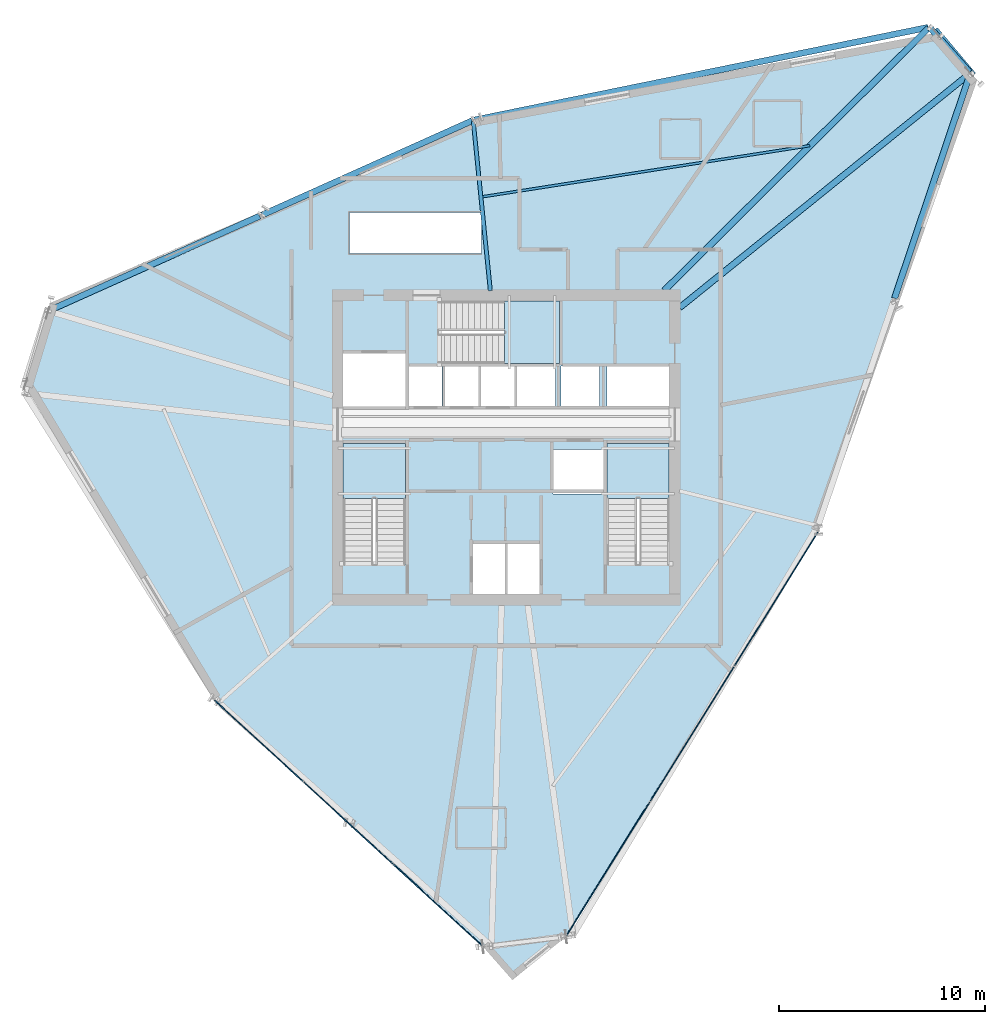
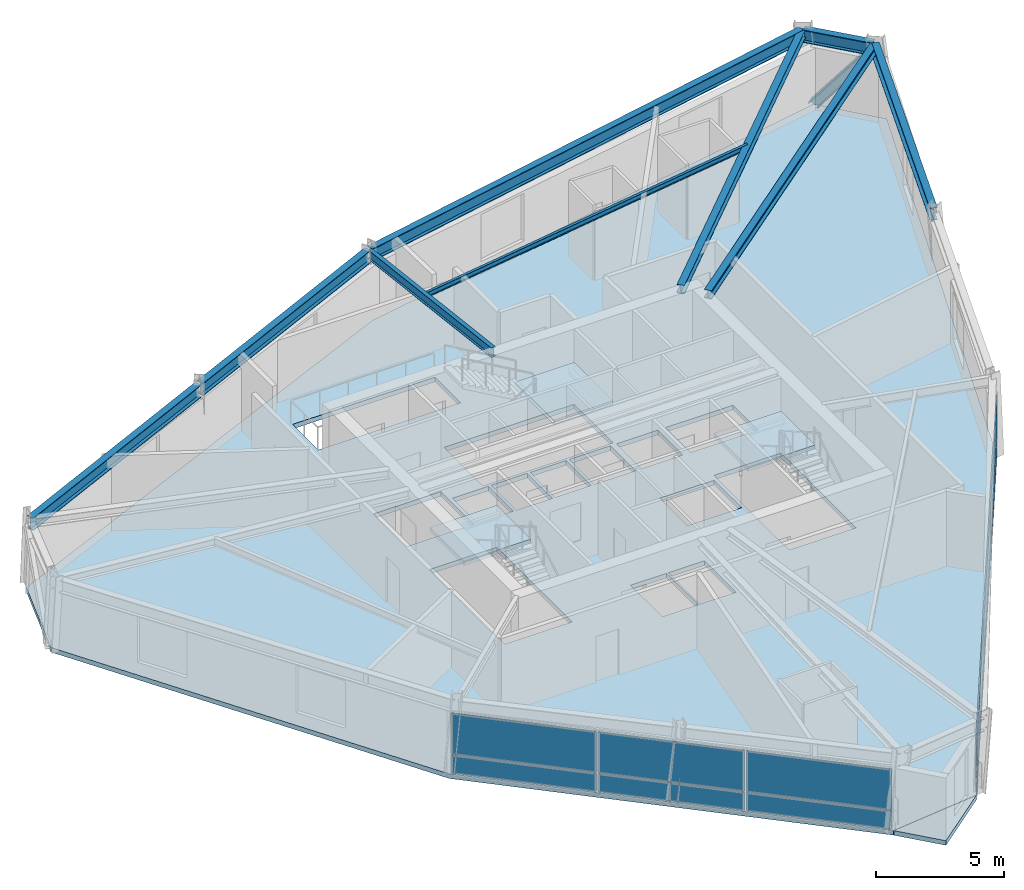
# One storey, part 6 of 13: 12 plates, 9 beams, 5 slabs, 1 member, 5 elements without a shape of their own.
"""IFC4 building model written with IfcOpenShell, lengths in metres."""

from ifc_helpers import new_model, si_unit, direction, frame, origin, origin_2d, place, context, subcontext, project, spatial, polyline, rectangle, i_section, outline, extrude, source, transform, mapped, material, layer, layer_set, material_profile, profile_set, type_object, element, aggregate, save


model = new_model("IFC4")

# Units and contexts
model_context = context("Model", 3, precision=1e-05, world=origin(), true_north=direction((0.0, 1.0)))
body_context = subcontext(model_context, "Body", "Model", "MODEL_VIEW")
ifc_project = project(units=[si_unit("LENGTHUNIT", "METRE"), si_unit("AREAUNIT", "SQUARE_METRE"), si_unit("VOLUMEUNIT", "CUBIC_METRE"), si_unit("PLANEANGLEUNIT", "RADIAN"), si_unit("MASSUNIT", "GRAM", prefix="KILO")], contexts=[model_context])

# Site, building, storey
site_placement = place(None, origin())
site = spatial("IfcSite", under=ifc_project, at=site_placement, CompositionType="ELEMENT")
building_placement = place(site_placement, origin())
building = spatial("IfcBuilding", under=site, at=building_placement, Name="Olszyna Solenne Hotel", CompositionType="ELEMENT")
storey_placement = place(building_placement, frame((0.0, 0.0, 200.300048828125)))
storey = spatial("IfcBuildingStorey", under=building, at=storey_placement, Name="L53", CompositionType="ELEMENT", Elevation=200.300048828125)

# Beams
ifc_material_1 = material(Name="Steel S355J2", Category="steel")
ifc_material_profile_1 = material_profile(ifc_material_1, i_section(OverallWidth=0.300048828125, OverallDepth=0.60009765625, WebThickness=0.015380859375, FlangeThickness=0.030029296875, at=origin_2d()), Name="HEB 600", Category="load-bearing")
ifc_profile_set_1 = profile_set([ifc_material_profile_1], Name="Steel S355J2")
beam_type_1 = type_object("IfcBeamType", Name="BM-S2", PredefinedType="BEAM", material=ifc_profile_set_1)
shared_shape_1 = source(origin(), body_context, "Body", "SweptSolid", [
    extrude(i_section(OverallWidth=0.300048828125, OverallDepth=0.60009765625, WebThickness=0.015380859375, FlangeThickness=0.030029296875, at=origin_2d()), origin(), (0.0, 0.0, 1.0), 2.8642578125),
])
beam_1_placement = place(storey_placement, frame((60.451904296875, 44.7890625, 3.280029296875), z_axis=(-0.663294496052, 0.748358477941, 0.0), x_axis=(-0.748358477941, -0.663294496052, 0.0)))
element("IfcBeam", 1, at=beam_1_placement, inside=storey, type_object=beam_type_1, Name="Perimeter spandrel beam BM-S2 B-L53-1564", PredefinedType="BEAM", context=body_context, shape_type="MappedRepresentation", body=[
    mapped(shared_shape_1, transform((0.0, 0.0, 0.0), x_axis=(1.0, 0.0, 0.0), y_axis=(0.0, 1.0, 0.0), z_axis=(0.0, 0.0, 1.0), scale=1.0)),
])
shared_shape_2 = source(origin(), body_context, "Body", "SweptSolid", [
    extrude(i_section(OverallWidth=0.300048828125, OverallDepth=0.60009765625, WebThickness=0.015380859375, FlangeThickness=0.030029296875, at=origin_2d()), origin(), (0.0, 0.0, 1.0), 22.44873046875),
])
beam_2_placement = place(storey_placement, frame((58.453369140625, 46.965576171875, 3.280029296875), z_axis=(-0.97977147589, -0.200119601819, 0.0), x_axis=(0.200119601819, -0.97977147589, 0.0)))
element("IfcBeam", 2, at=beam_2_placement, inside=storey, type_object=beam_type_1, Name="Perimeter spandrel beam BM-S2 B-L53-1565", PredefinedType="BEAM", context=body_context, shape_type="MappedRepresentation", body=[
    mapped(shared_shape_2, transform((0.0, 0.0, 0.0), x_axis=(1.0, 0.0, 0.0), y_axis=(0.0, 1.0, 0.0), z_axis=(0.0, 0.0, 1.0), scale=1.0)),
])
shared_shape_3 = source(origin(), body_context, "Body", "SweptSolid", [
    extrude(i_section(OverallWidth=0.300048828125, OverallDepth=0.60009765625, WebThickness=0.015380859375, FlangeThickness=0.030029296875, at=origin_2d()), origin(), (0.0, 0.0, 1.0), 11.164306640625),
])
for number, where, z_axis, x_axis, name in (
    (3, (36.34521484375, 42.4365234375, 3.280029296875), (-0.912390225434, -0.409321483107, 0.0), (0.409321483107, -0.912390225434, 0.0), "Perimeter spandrel beam BM-S2 B-L53-1566"),
    (4, (26.049560546875, 37.8173828125, 3.280029296875), (-0.912390225434, -0.409321483107, 0.0), (0.409321483107, -0.912390225434, 0.0), "Perimeter spandrel beam BM-S2 B-L53-1567"),
):
    element("IfcBeam", number, at=place(storey_placement, frame(where, z_axis=z_axis, x_axis=x_axis)), inside=storey, type_object=beam_type_1, Name=name, PredefinedType="BEAM", context=body_context, shape_type="MappedRepresentation", body=[
        mapped(shared_shape_3, transform((0.0, 0.0, 0.0), x_axis=(1.0, 0.0, 0.0), y_axis=(0.0, 1.0, 0.0), z_axis=(0.0, 0.0, 1.0), scale=1.0)),
    ])
shared_shape_4 = source(origin(), body_context, "Body", "SweptSolid", [
    extrude(i_section(OverallWidth=0.300048828125, OverallDepth=0.60009765625, WebThickness=0.015380859375, FlangeThickness=0.030029296875, at=origin_2d()), origin(), (0.0, 0.0, 1.0), 11.4462890625),
])
beam_3_placement = place(storey_placement, frame((56.822509765625, 33.838623046875, 3.280029296875), z_axis=(0.318894814385, 0.947790112503, 0.0), x_axis=(-0.947790112503, 0.318894814385, 0.0)))
element("IfcBeam", 5, at=beam_3_placement, inside=storey, type_object=beam_type_1, Name="Perimeter spandrel beam BM-S2 B-L53-1575", PredefinedType="BEAM", context=body_context, shape_type="MappedRepresentation", body=[
    mapped(shared_shape_4, transform((0.0, 0.0, 0.0), x_axis=(1.0, 0.0, 0.0), y_axis=(0.0, 1.0, 0.0), z_axis=(0.0, 0.0, 1.0), scale=1.0)),
])
ifc_material_profile_2 = material_profile(ifc_material_1, i_section(OverallWidth=0.300048828125, OverallDepth=0.389892578125, WebThickness=0.010986328125, FlangeThickness=0.01904296875, at=origin_2d()), Name="HEA 400", Category="load-bearing")
ifc_profile_set_2 = profile_set([ifc_material_profile_2], Name="Steel S355J2")
beam_type_2 = type_object("IfcBeamType", Name="BM-G2", PredefinedType="BEAM", material=ifc_profile_set_2)
shared_shape_5 = source(origin(), body_context, "Body", "SweptSolid", [
    extrude(i_section(OverallWidth=0.300048828125, OverallDepth=0.389892578125, WebThickness=0.010986328125, FlangeThickness=0.01904296875, at=origin_2d()), origin(), (0.0, 0.0, 1.0), 18.03125),
])
beam_4_placement = place(storey_placement, frame((60.445068359375, 44.70654296875, 3.385009765625), z_axis=(-0.778315493106, -0.62787338946, 0.0), x_axis=(0.62787338946, -0.778315493106, 0.0)))
element("IfcBeam", 6, at=beam_4_placement, inside=storey, type_object=beam_type_2, Name="Radial floor girder BM-G2 B-L53-1576", PredefinedType="BEAM", context=body_context, shape_type="MappedRepresentation", body=[
    mapped(shared_shape_5, transform((0.0, 0.0, 0.0), x_axis=(1.0, 0.0, 0.0), y_axis=(0.0, 1.0, 0.0), z_axis=(0.0, 0.0, 1.0), scale=1.0)),
])
shared_shape_6 = source(origin(), body_context, "Body", "SweptSolid", [
    extrude(i_section(OverallWidth=0.300048828125, OverallDepth=0.389892578125, WebThickness=0.010986328125, FlangeThickness=0.01904296875, at=origin_2d()), origin(), (0.0, 0.0, 1.0), 18.048828125),
])
beam_5_placement = place(storey_placement, frame((58.469482421875, 46.935302734375, 3.385009765625), z_axis=(-0.70942952864, -0.704776378644, 0.0), x_axis=(0.704776378644, -0.70942952864, 0.0)))
element("IfcBeam", 7, at=beam_5_placement, inside=storey, type_object=beam_type_2, Name="Radial floor girder BM-G2 B-L53-1577", PredefinedType="BEAM", context=body_context, shape_type="MappedRepresentation", body=[
    mapped(shared_shape_6, transform((0.0, 0.0, 0.0), x_axis=(1.0, 0.0, 0.0), y_axis=(0.0, 1.0, 0.0), z_axis=(0.0, 0.0, 1.0), scale=1.0)),
])
ifc_material_profile_3 = material_profile(ifc_material_1, i_section(OverallWidth=0.18994140625, OverallDepth=0.449951171875, WebThickness=0.009521484375, FlangeThickness=0.0146484375, at=origin_2d()), Name="IPE 450", Category="load-bearing")
ifc_profile_set_3 = profile_set([ifc_material_profile_3], Name="Steel S355J2")
beam_type_3 = type_object("IfcBeamType", Name="BM-F4", PredefinedType="BEAM", material=ifc_profile_set_3)
shared_shape_7 = source(origin(), body_context, "Body", "SweptSolid", [
    extrude(i_section(OverallWidth=0.18994140625, OverallDepth=0.449951171875, WebThickness=0.009521484375, FlangeThickness=0.0146484375, at=origin_2d()), origin(), (0.0, 0.0, 1.0), 8.2431640625),
])
beam_6_placement = place(storey_placement, frame((36.406005859375, 42.401611328125, 3.35498046875), z_axis=(0.100374619262, -0.994949715216, 0.0), x_axis=(0.994949715216, 0.100374619262, 0.0)))
element("IfcBeam", 8, at=beam_6_placement, inside=storey, type_object=beam_type_3, Name="Radial floor girder BM-F4 B-L53-1578", PredefinedType="BEAM", context=body_context, shape_type="MappedRepresentation", body=[
    mapped(shared_shape_7, transform((0.0, 0.0, 0.0), x_axis=(1.0, 0.0, 0.0), y_axis=(0.0, 1.0, 0.0), z_axis=(0.0, 0.0, 1.0), scale=1.0)),
])
ifc_material_profile_4 = material_profile(ifc_material_1, i_section(OverallWidth=0.1201171875, OverallDepth=0.239990234375, WebThickness=0.006103515625, FlangeThickness=0.009765625, at=origin_2d()), Name="IPE 240", Category="load-bearing")
ifc_profile_set_4 = profile_set([ifc_material_profile_4], Name="Steel S355J2")
beam_type_4 = type_object("IfcBeamType", Name="JS-03", PredefinedType="JOIST", material=ifc_profile_set_4)
shared_shape_8 = source(origin(), body_context, "Body", "SweptSolid", [
    extrude(i_section(OverallWidth=0.1201171875, OverallDepth=0.239990234375, WebThickness=0.006103515625, FlangeThickness=0.009765625, at=origin_2d()), origin(), (0.0, 0.0, 1.0), 16.109130859375),
])
beam_7_placement = place(storey_placement, frame((52.711181640625, 41.231201171875, 3.4599609375), z_axis=(-0.988036437508, -0.154220615211, 0.0), x_axis=(0.154220615211, -0.988036437508, 0.0)))
element("IfcBeam", 9, at=beam_7_placement, inside=storey, type_object=beam_type_4, Name="Secondary composite floor joist JS-03 B-L53-1585", PredefinedType="JOIST", context=body_context, shape_type="MappedRepresentation", body=[
    mapped(shared_shape_8, transform((0.0, 0.0, 0.0), x_axis=(1.0, 0.0, 0.0), y_axis=(0.0, 1.0, 0.0), z_axis=(0.0, 0.0, 1.0), scale=1.0)),
])

# Member
ifc_material_2 = material(Name="Steel S460M", Category="steel")
ifc_material_profile_5 = material_profile(ifc_material_2, i_section(OverallWidth=0.406005859375, OverallDepth=0.416015625, WebThickness=0.026611328125, FlangeThickness=0.04150390625, at=origin_2d()), Name="HD 400x382", Category="load-bearing")
ifc_profile_set_5 = profile_set([ifc_material_profile_5], Name="Steel S460M")
member_type = type_object("IfcMemberType", Name="BR-T2", PredefinedType="BRACE", material=ifc_profile_set_5)
shared_shape_9 = source(origin(), body_context, "Body", "SweptSolid", [
    extrude(i_section(OverallWidth=0.406005859375, OverallDepth=0.416015625, WebThickness=0.026611328125, FlangeThickness=0.04150390625, at=origin_2d()), origin(), (0.0, 0.0, 1.0), 4.12353515625),
])
member_placement = place(storey_placement, frame((58.8505859375, 46.696533203125, 0.010009765625), z_axis=(0.397997693632, -0.473488181489, 0.785752364205), x_axis=(0.765491737246, 0.643445724368, 0.0)))
element("IfcMember", 10, at=member_placement, inside=storey, type_object=member_type, Name="Perimeter braced-tube diagonal BR-T2 BR-L53-1", PredefinedType="BRACE", context=body_context, shape_type="MappedRepresentation", body=[
    mapped(shared_shape_9, transform((0.0, 0.0, 0.0), x_axis=(1.0, 0.0, 0.0), y_axis=(0.0, 1.0, 0.0), z_axis=(0.0, 0.0, 1.0), scale=1.0)),
])

# Stair, slab
ifc_material_3 = material(Name="Concrete C40/50", Category="concrete")
stair_type = type_object("IfcStairType", Name="STR-C1", PredefinedType="TWO_QUARTER_WINDING_STAIR", material=ifc_material_3)
stair_1_placement = place(storey_placement, origin())
stair_1 = element("IfcStair", 11, at=stair_1_placement, inside=storey, type_object=stair_type, Name="L53 ST1", PredefinedType="TWO_QUARTER_WINDING_STAIR")
ifc_layer_1 = layer(ifc_material_3, 0.18994140625, Name="Concrete C40/50")
ifc_layer_set_1 = layer_set([ifc_layer_1], Name="Concrete C40/50")
slab_type_1 = type_object("IfcSlabType", Name="SL-LN190", PredefinedType="LANDING", material=ifc_layer_set_1)
slab_1_placement = place(storey_placement, frame((0.0, 0.0, 1.800048828125)))
slab_1 = element("IfcSlab", 12, at=slab_1_placement, type_object=slab_type_1, Name="ST1 landing 1", PredefinedType="LANDING", context=body_context, shape_type="SweptSolid", body=[
    extrude(outline(polyline([(33.1201171875, 24.139892578125), (33.1201171875, 26.800048828125), (30.10009765625, 26.800048828125), (30.10009765625, 24.139892578125), (33.1201171875, 24.139892578125)])), origin(), (0.0, 0.0, 1.0), 0.199951171875),
])
aggregate(stair_1, [slab_1])

stair_2_placement = place(storey_placement, origin())
stair_2 = element("IfcStair", 13, at=stair_2_placement, inside=storey, type_object=stair_type, Name="L53 ST2", PredefinedType="TWO_QUARTER_WINDING_STAIR")
slab_2_placement = place(storey_placement, frame((0.0, 0.0, 1.800048828125)))
slab_2 = element("IfcSlab", 14, at=slab_2_placement, type_object=slab_type_1, Name="ST2 landing 1", PredefinedType="LANDING", context=body_context, shape_type="SweptSolid", body=[
    extrude(outline(polyline([(45.89990234375, 24.139892578125), (45.89990234375, 26.800048828125), (42.8798828125, 26.800048828125), (42.8798828125, 24.139892578125), (45.89990234375, 24.139892578125)])), origin(), (0.0, 0.0, 1.0), 0.199951171875),
])
aggregate(stair_2, [slab_2])

stair_3_placement = place(storey_placement, origin())
stair_3 = element("IfcStair", 15, at=stair_3_placement, inside=storey, type_object=stair_type, Name="L53 ST3", PredefinedType="TWO_QUARTER_WINDING_STAIR")
slab_3_placement = place(storey_placement, frame((0.0, 0.0, 1.800048828125)))
slab_3 = element("IfcSlab", 16, at=slab_3_placement, type_object=slab_type_1, Name="ST3 landing 1", PredefinedType="LANDING", context=body_context, shape_type="SweptSolid", body=[
    extrude(outline(polyline([(37.919921875, 30.679931640625), (40.580078125, 30.679931640625), (40.580078125, 33.699951171875), (37.919921875, 33.699951171875), (37.919921875, 30.679931640625)])), origin(), (0.0, 0.0, 1.0), 0.199951171875),
])
aggregate(stair_3, [slab_3])

# Slabs
ifc_material_4 = material(Name="Concrete C50/60", Category="concrete")
ifc_layer_2 = layer(ifc_material_4, 0.219970703125, Name="Concrete C50/60")
ifc_layer_set_2 = layer_set([ifc_layer_2], Name="Concrete C50/60")
slab_type_2 = type_object("IfcSlabType", Name="SL-TW225", PredefinedType="FLOOR", material=ifc_layer_set_2)
slab_4_placement = place(storey_placement, frame((0.0, 0.0, -0.219970703125)))
element("IfcSlab", 17, at=slab_4_placement, inside=storey, type_object=slab_type_2, Name="Floor slab SL-TW225 SL-L53-01", PredefinedType="FLOOR", context=body_context, shape_type="SweptSolid", body=[
    extrude(outline(polyline([(60.819580078125, 44.4033203125), (58.8505859375, 46.696533203125), (36.6328125, 42.5693359375), (15.89111328125, 33.6005859375), (14.67333984375, 29.592041015625), (23.81640625, 14.402099609375), (36.879150390625, 2.414794921875), (40.88623046875, 2.892822265625), (53.13427734375, 22.552490234375), (60.819580078125, 44.4033203125)]), holes=[polyline([(30.10009765625, 20.949951171875), (33.1201171875, 20.949951171875), (33.1201171875, 26.800048828125), (30.10009765625, 26.800048828125), (30.10009765625, 20.949951171875)]), polyline([(42.8798828125, 20.949951171875), (45.89990234375, 20.949951171875), (45.89990234375, 26.800048828125), (42.8798828125, 26.800048828125), (42.8798828125, 20.949951171875)]), polyline([(34.72998046875, 30.679931640625), (40.580078125, 30.679931640625), (40.580078125, 33.699951171875), (34.72998046875, 33.699951171875), (34.72998046875, 30.679931640625)]), polyline([(36.340087890625, 19.5), (37.9599609375, 19.5), (37.9599609375, 21.9599609375), (36.340087890625, 21.9599609375), (36.340087890625, 19.5)]), polyline([(38.0400390625, 19.5), (39.659912109375, 19.5), (39.659912109375, 21.9599609375), (38.0400390625, 21.9599609375), (38.0400390625, 19.5)]), polyline([(30.10009765625, 28.60009765625), (33.1201171875, 28.60009765625), (33.1201171875, 31.159912109375), (30.10009765625, 31.159912109375), (30.10009765625, 28.60009765625)]), polyline([(40.280029296875, 24.360107421875), (42.719970703125, 24.360107421875), (42.719970703125, 26.5), (40.280029296875, 26.5), (40.280029296875, 24.360107421875)]), polyline([(33.280029296875, 28.60009765625), (34.89990234375, 28.60009765625), (34.89990234375, 30.550048828125), (33.280029296875, 30.550048828125), (33.280029296875, 28.60009765625)]), polyline([(35.030029296875, 28.60009765625), (36.64990234375, 28.60009765625), (36.64990234375, 30.550048828125), (35.030029296875, 30.550048828125), (35.030029296875, 28.60009765625)]), polyline([(36.780029296875, 28.60009765625), (38.39990234375, 28.60009765625), (38.39990234375, 30.550048828125), (36.780029296875, 30.550048828125), (36.780029296875, 28.60009765625)]), polyline([(38.530029296875, 28.60009765625), (40.389892578125, 28.60009765625), (40.389892578125, 30.550048828125), (38.530029296875, 30.550048828125), (38.530029296875, 28.60009765625)]), polyline([(40.659912109375, 28.60009765625), (42.52001953125, 28.60009765625), (42.52001953125, 30.550048828125), (40.659912109375, 30.550048828125), (40.659912109375, 28.60009765625)]), polyline([(42.8798828125, 28.60009765625), (45.89990234375, 28.60009765625), (45.89990234375, 30.550048828125), (42.8798828125, 30.550048828125), (42.8798828125, 28.60009765625)]), polyline([(30.39990234375, 36.0), (36.800048828125, 36.0), (36.800048828125, 38.0), (30.39990234375, 38.0), (30.39990234375, 36.0)])]), origin(), (0.0, 0.0, 1.0), 0.219970703125),
])
slab_5_placement = place(storey_placement, frame((0.0, 0.0, -0.219970703125)))
element("IfcSlab", 18, at=slab_5_placement, inside=storey, type_object=slab_type_2, Name="Faceted glass-prism floor slab SL-L53-PR", PredefinedType="FLOOR", context=body_context, shape_type="SweptSolid", body=[
    extrude(outline(polyline([(40.87158203125, 2.881103515625), (36.88720703125, 2.40576171875), (38.301025390625, 0.800048828125), (40.87158203125, 2.881103515625)])), origin(), (0.0, 0.0, 1.0), 0.219970703125),
])

# Curtain wall, plates
ifc_material_5 = material(Name="Anodised bronze aluminium", Category="aluminium")
curtain_wall_type = type_object("IfcCurtainWallType", Name="CW-SYS-6", PredefinedType="NOTDEFINED", material=ifc_material_5)
curtain_wall_1_placement = place(storey_placement, origin())
curtain_wall_1 = element("IfcCurtainWall", 19, at=curtain_wall_1_placement, inside=storey, type_object=curtain_wall_type, Name="Unitised curtain wall CW-SYS-6 CW-L53-01", PredefinedType="NOTDEFINED")
ifc_material_6 = material(Name="Terracotta cladding", Category="masonry")
plate_type_1 = type_object("IfcPlateType", Name="PN-SP1", PredefinedType="CURTAIN_PANEL", material=ifc_material_6)
shared_shape_10 = source(origin(), body_context, "Body", "SweptSolid", [
    extrude(rectangle(XDim=7.60107421875, YDim=0.048095703125, at=origin_2d()), origin(), (0.0, 0.0, 1.0), 0.83740234375),
])
plate_1_placement = place(storey_placement, frame((42.938232421875, 6.186279296875, 0.074951171875), z_axis=(0.0, 0.0, 1.0), x_axis=(0.528781026556, 0.848758284763, 0.0)))
plate_1 = element("IfcPlate", 20, at=plate_1_placement, type_object=plate_type_1, Name="Curtain-wall panel PN-SP1 CP-L53-01-01", PredefinedType="CURTAIN_PANEL", context=body_context, shape_type="MappedRepresentation", body=[
    mapped(shared_shape_10, transform((0.0, 0.0, 0.0), x_axis=(1.0, 0.0, 0.0), y_axis=(0.0, 1.0, 0.0), z_axis=(0.0, 0.0, 1.0), scale=1.0)),
])
plate_2_placement = place(storey_placement, frame((51.082275390625, 19.2587890625, 0.074951171875), z_axis=(0.0, 0.0, 1.0), x_axis=(0.528781026556, 0.848758284763, 0.0)))
plate_2 = element("IfcPlate", 21, at=plate_2_placement, type_object=plate_type_1, Name="Curtain-wall panel PN-SP1 CP-L53-01-05", PredefinedType="CURTAIN_PANEL", context=body_context, shape_type="MappedRepresentation", body=[
    mapped(shared_shape_10, transform((0.0, 0.0, 0.0), x_axis=(1.0, 0.0, 0.0), y_axis=(0.0, 1.0, 0.0), z_axis=(0.0, 0.0, 1.0), scale=1.0)),
])
ifc_material_7 = material(Name="Low-E triple glazing", Category="glass")
plate_type_2 = type_object("IfcPlateType", Name="PN-GL2", PredefinedType="CURTAIN_PANEL", material=ifc_material_7)
shared_shape_11 = source(origin(), body_context, "Body", "SweptSolid", [
    extrude(rectangle(XDim=7.60107421875, YDim=0.048095703125, at=origin_2d()), origin(), (0.0, 0.0, 1.0), 1.909423828125),
])
plate_3_placement = place(storey_placement, frame((42.938232421875, 6.186279296875, 0.9873046875), z_axis=(0.0, 0.0, 1.0), x_axis=(0.528781026556, 0.848758284763, 0.0)))
plate_3 = element("IfcPlate", 22, at=plate_3_placement, type_object=plate_type_2, Name="Curtain-wall panel PN-GL2 CP-L53-01-02", PredefinedType="CURTAIN_PANEL", context=body_context, shape_type="MappedRepresentation", body=[
    mapped(shared_shape_11, transform((0.0, 0.0, 0.0), x_axis=(1.0, 0.0, 0.0), y_axis=(0.0, 1.0, 0.0), z_axis=(0.0, 0.0, 1.0), scale=1.0)),
])
plate_4_placement = place(storey_placement, frame((51.082275390625, 19.2587890625, 0.9873046875), z_axis=(0.0, 0.0, 1.0), x_axis=(0.528781026556, 0.848758284763, 0.0)))
plate_4 = element("IfcPlate", 23, at=plate_4_placement, type_object=plate_type_2, Name="Curtain-wall panel PN-GL2 CP-L53-01-06", PredefinedType="CURTAIN_PANEL", context=body_context, shape_type="MappedRepresentation", body=[
    mapped(shared_shape_11, transform((0.0, 0.0, 0.0), x_axis=(1.0, 0.0, 0.0), y_axis=(0.0, 1.0, 0.0), z_axis=(0.0, 0.0, 1.0), scale=1.0)),
])
shared_shape_12 = source(origin(), body_context, "Body", "SweptSolid", [
    extrude(rectangle(XDim=7.640869140625, YDim=0.048095703125, at=origin_2d()), origin(), (0.0, 0.0, 1.0), 0.83740234375),
])
plate_5_placement = place(storey_placement, frame((47.01025390625, 12.72265625, 0.074951171875), z_axis=(0.0, 0.0, 1.0), x_axis=(0.528781026556, 0.848758284763, 0.0)))
plate_5 = element("IfcPlate", 24, at=plate_5_placement, type_object=plate_type_1, Name="Curtain-wall panel PN-SP1 CP-L53-01-03", PredefinedType="CURTAIN_PANEL", context=body_context, shape_type="MappedRepresentation", body=[
    mapped(shared_shape_12, transform((0.0, 0.0, 0.0), x_axis=(1.0, 0.0, 0.0), y_axis=(0.0, 1.0, 0.0), z_axis=(0.0, 0.0, 1.0), scale=1.0)),
])
shared_shape_13 = source(origin(), body_context, "Body", "SweptSolid", [
    extrude(rectangle(XDim=7.640869140625, YDim=0.048095703125, at=origin_2d()), origin(), (0.0, 0.0, 1.0), 1.909423828125),
])
plate_6_placement = place(storey_placement, frame((47.01025390625, 12.72265625, 0.9873046875), z_axis=(0.0, 0.0, 1.0), x_axis=(0.528781026556, 0.848758284763, 0.0)))
plate_6 = element("IfcPlate", 25, at=plate_6_placement, type_object=plate_type_2, Name="Curtain-wall panel PN-GL2 CP-L53-01-04", PredefinedType="CURTAIN_PANEL", context=body_context, shape_type="MappedRepresentation", body=[
    mapped(shared_shape_13, transform((0.0, 0.0, 0.0), x_axis=(1.0, 0.0, 0.0), y_axis=(0.0, 1.0, 0.0), z_axis=(0.0, 0.0, 1.0), scale=1.0)),
])
aggregate(curtain_wall_1, [plate_1, plate_3, plate_5, plate_6, plate_2, plate_4])

curtain_wall_2_placement = place(storey_placement, origin())
curtain_wall_2 = element("IfcCurtainWall", 26, at=curtain_wall_2_placement, inside=storey, type_object=curtain_wall_type, Name="Unitised curtain wall CW-SYS-6 CW-L53-02", PredefinedType="NOTDEFINED")
shared_shape_14 = source(origin(), body_context, "Body", "SweptSolid", [
    extrude(rectangle(XDim=5.789794921875, YDim=0.048095703125, at=origin_2d()), origin(), (0.0, 0.0, 1.0), 0.83740234375),
])
plate_7_placement = place(storey_placement, frame((26.00830078125, 12.390869140625, 0.074951171875), z_axis=(0.0, 0.0, 1.0), x_axis=(0.736784341012, -0.676127824335, 0.0)))
plate_7 = element("IfcPlate", 27, at=plate_7_placement, type_object=plate_type_1, Name="Curtain-wall panel PN-SP1 CP-L53-02-01", PredefinedType="CURTAIN_PANEL", context=body_context, shape_type="MappedRepresentation", body=[
    mapped(shared_shape_14, transform((0.0, 0.0, 0.0), x_axis=(1.0, 0.0, 0.0), y_axis=(0.0, 1.0, 0.0), z_axis=(0.0, 0.0, 1.0), scale=1.0)),
])
plate_8_placement = place(storey_placement, frame((34.687255859375, 4.42626953125, 0.074951171875), z_axis=(0.0, 0.0, 1.0), x_axis=(0.736784341012, -0.676127824335, 0.0)))
plate_8 = element("IfcPlate", 28, at=plate_8_placement, type_object=plate_type_1, Name="Curtain-wall panel PN-SP1 CP-L53-02-05", PredefinedType="CURTAIN_PANEL", context=body_context, shape_type="MappedRepresentation", body=[
    mapped(shared_shape_14, transform((0.0, 0.0, 0.0), x_axis=(1.0, 0.0, 0.0), y_axis=(0.0, 1.0, 0.0), z_axis=(0.0, 0.0, 1.0), scale=1.0)),
])
shared_shape_15 = source(origin(), body_context, "Body", "SweptSolid", [
    extrude(rectangle(XDim=5.789794921875, YDim=0.048095703125, at=origin_2d()), origin(), (0.0, 0.0, 1.0), 1.909423828125),
])
plate_9_placement = place(storey_placement, frame((26.00830078125, 12.390869140625, 0.9873046875), z_axis=(0.0, 0.0, 1.0), x_axis=(0.736784341012, -0.676127824335, 0.0)))
plate_9 = element("IfcPlate", 29, at=plate_9_placement, type_object=plate_type_2, Name="Curtain-wall panel PN-GL2 CP-L53-02-02", PredefinedType="CURTAIN_PANEL", context=body_context, shape_type="MappedRepresentation", body=[
    mapped(shared_shape_15, transform((0.0, 0.0, 0.0), x_axis=(1.0, 0.0, 0.0), y_axis=(0.0, 1.0, 0.0), z_axis=(0.0, 0.0, 1.0), scale=1.0)),
])
plate_10_placement = place(storey_placement, frame((34.687255859375, 4.42626953125, 0.9873046875), z_axis=(0.0, 0.0, 1.0), x_axis=(0.736784341012, -0.676127824335, 0.0)))
plate_10 = element("IfcPlate", 30, at=plate_10_placement, type_object=plate_type_2, Name="Curtain-wall panel PN-GL2 CP-L53-02-06", PredefinedType="CURTAIN_PANEL", context=body_context, shape_type="MappedRepresentation", body=[
    mapped(shared_shape_15, transform((0.0, 0.0, 0.0), x_axis=(1.0, 0.0, 0.0), y_axis=(0.0, 1.0, 0.0), z_axis=(0.0, 0.0, 1.0), scale=1.0)),
])
shared_shape_16 = source(origin(), body_context, "Body", "SweptSolid", [
    extrude(rectangle(XDim=5.829833984375, YDim=0.048095703125, at=origin_2d()), origin(), (0.0, 0.0, 1.0), 0.83740234375),
])
plate_11_placement = place(storey_placement, frame((30.347900390625, 8.408447265625, 0.074951171875), z_axis=(0.0, 0.0, 1.0), x_axis=(0.736784341012, -0.676127824335, 0.0)))
plate_11 = element("IfcPlate", 31, at=plate_11_placement, type_object=plate_type_1, Name="Curtain-wall panel PN-SP1 CP-L53-02-03", PredefinedType="CURTAIN_PANEL", context=body_context, shape_type="MappedRepresentation", body=[
    mapped(shared_shape_16, transform((0.0, 0.0, 0.0), x_axis=(1.0, 0.0, 0.0), y_axis=(0.0, 1.0, 0.0), z_axis=(0.0, 0.0, 1.0), scale=1.0)),
])
shared_shape_17 = source(origin(), body_context, "Body", "SweptSolid", [
    extrude(rectangle(XDim=5.829833984375, YDim=0.048095703125, at=origin_2d()), origin(), (0.0, 0.0, 1.0), 1.909423828125),
])
plate_12_placement = place(storey_placement, frame((30.347900390625, 8.408447265625, 0.9873046875), z_axis=(0.0, 0.0, 1.0), x_axis=(0.736784341012, -0.676127824335, 0.0)))
plate_12 = element("IfcPlate", 32, at=plate_12_placement, type_object=plate_type_2, Name="Curtain-wall panel PN-GL2 CP-L53-02-04", PredefinedType="CURTAIN_PANEL", context=body_context, shape_type="MappedRepresentation", body=[
    mapped(shared_shape_17, transform((0.0, 0.0, 0.0), x_axis=(1.0, 0.0, 0.0), y_axis=(0.0, 1.0, 0.0), z_axis=(0.0, 0.0, 1.0), scale=1.0)),
])
aggregate(curtain_wall_2, [plate_7, plate_9, plate_11, plate_12, plate_8, plate_10])

save(model, "model.ifc")
